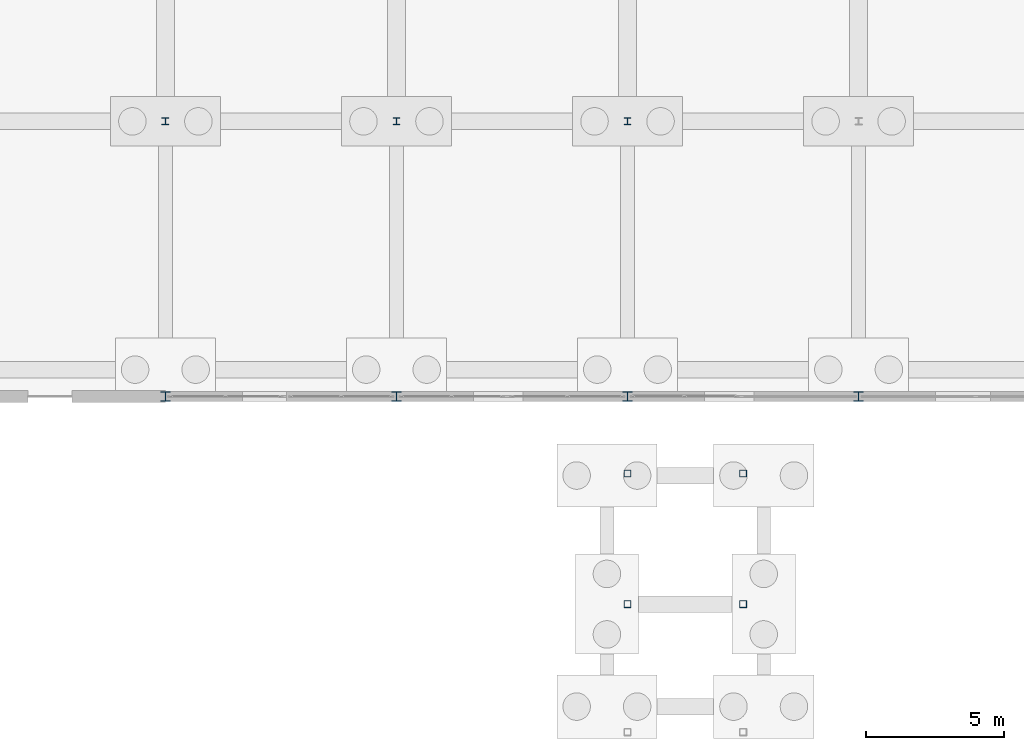
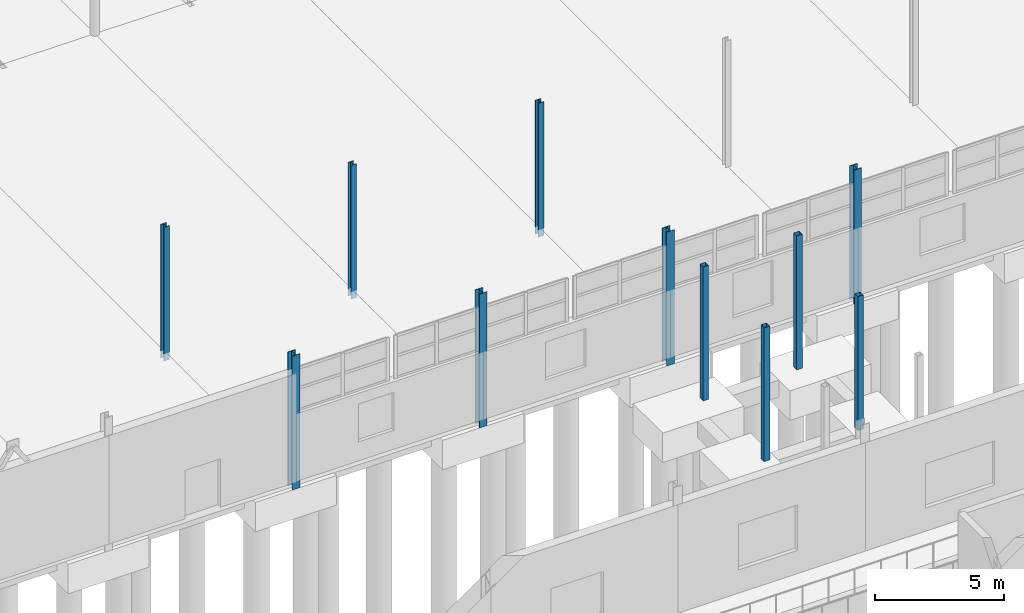
# One storey, part 27 of 139: 11 columns.
"""IFC4 building model written with IfcOpenShell, lengths in metres."""

from ifc_helpers import new_model, si_unit, direction, frame, origin, origin_2d, place, context, subcontext, project, spatial, hollow_rectangle, i_section, extrude, material, material_profile, profile_set, type_object, element, save


model = new_model("IFC4")

# Units and contexts
model_context = context("Model", 3, precision=1e-05, world=origin(), true_north=direction((0.0, 1.0)))
body_context = subcontext(model_context, "Body", "Model", "MODEL_VIEW")
ifc_project = project(units=[si_unit("LENGTHUNIT", "METRE"), si_unit("AREAUNIT", "SQUARE_METRE"), si_unit("VOLUMEUNIT", "CUBIC_METRE"), si_unit("PLANEANGLEUNIT", "RADIAN"), si_unit("MASSUNIT", "GRAM", prefix="KILO")], contexts=[model_context])

# Site, building, storey
site_placement = place(None, origin())
site = spatial("IfcSite", under=ifc_project, at=site_placement, CompositionType="ELEMENT")
building_placement = place(site_placement, origin())
building = spatial("IfcBuilding", under=site, at=building_placement, Name="Kazenagashi Tramway Depot", CompositionType="ELEMENT")
storey_placement = place(building_placement, origin())
storey = spatial("IfcBuildingStorey", under=building, at=storey_placement, Name="L01", CompositionType="ELEMENT", Elevation=0.0)

# Columns
ifc_material_1 = material(Name="Steel SN490B", Category="steel")
ifc_material_profile_1 = material_profile(ifc_material_1, i_section(OverallWidth=0.35, OverallDepth=0.35, WebThickness=0.012, FlangeThickness=0.019, at=origin_2d()), Name="H-350x350x12x19")
ifc_profile_set_1 = profile_set([ifc_material_profile_1], Name="Steel SN490B")
column_type_1 = type_object("IfcColumnType", Name="C-04", PredefinedType="COLUMN", material=ifc_profile_set_1)
for number, where, z_axis, x_axis, name in (
    (1, (70.0, 70.0, -0.35), (0.0, 0.0, 1.0), (1.0, 0.0, 0.0), "Column C-04 COL-0019"),
    (2, (78.4, 70.0, -0.35), (0.0, 0.0, 1.0), (1.0, 0.0, 0.0), "Column C-04 COL-0025"),
    (3, (86.8, 70.0, -0.35), (0.0, 0.0, 1.0), (1.0, 0.0, 0.0), "Column C-04 COL-0031"),
    (4, (95.2, 70.0, -0.35), (0.0, 0.0, 1.0), (1.0, 0.0, 0.0), "Column C-04 COL-0037"),
):
    element("IfcColumn", number, at=place(storey_placement, frame(where, z_axis=z_axis, x_axis=x_axis)), inside=storey, type_object=column_type_1, Name=name, PredefinedType="COLUMN", context=body_context, shape_type="SweptSolid", body=[
        extrude(i_section(OverallWidth=0.35, OverallDepth=0.35, WebThickness=0.012, FlangeThickness=0.019, at=origin_2d()), origin(), (0.0, 0.0, 1.0), 6.35),
    ])
ifc_material_profile_2 = material_profile(ifc_material_1, i_section(OverallWidth=0.25, OverallDepth=0.25, WebThickness=0.009, FlangeThickness=0.014, at=origin_2d()), Name="H-250x250x9x14")
ifc_profile_set_2 = profile_set([ifc_material_profile_2], Name="Steel SN490B")
column_type_2 = type_object("IfcColumnType", Name="C-06", PredefinedType="COLUMN", material=ifc_profile_set_2)
for number, where, z_axis, x_axis, name in (
    (5, (70.0, 80.0, -0.35), (0.0, 0.0, 1.0), (1.0, 0.0, 0.0), "Column C-06 COL-0118"),
    (6, (78.4, 80.0, -0.35), (0.0, 0.0, 1.0), (1.0, 0.0, 0.0), "Column C-06 COL-0119"),
    (7, (86.8, 80.0, -0.35), (0.0, 0.0, 1.0), (1.0, 0.0, 0.0), "Column C-06 COL-0120"),
):
    element("IfcColumn", number, at=place(storey_placement, frame(where, z_axis=z_axis, x_axis=x_axis)), inside=storey, type_object=column_type_2, Name=name, PredefinedType="COLUMN", context=body_context, shape_type="SweptSolid", body=[
        extrude(i_section(OverallWidth=0.25, OverallDepth=0.25, WebThickness=0.009, FlangeThickness=0.014, at=origin_2d()), origin(), (0.0, 0.0, 1.0), 6.35),
    ])
ifc_material_2 = material(Name="Weathering Steel SMA490W", Category="steel")
ifc_material_profile_3 = material_profile(ifc_material_2, hollow_rectangle(XDim=0.25, YDim=0.25, WallThickness=0.009, at=origin_2d()), Name="SHS-250x250x9")
ifc_profile_set_3 = profile_set([ifc_material_profile_3], Name="Weathering Steel SMA490W")
column_type_3 = type_object("IfcColumnType", Name="C-10", PredefinedType="COLUMN", material=ifc_profile_set_3)
for number, where, z_axis, x_axis, name in (
    (8, (86.8, 62.45, -0.35), (0.0, 0.0, 1.0), (1.0, 0.0, 0.0), "Column C-10 COL-0865"),
    (9, (86.8, 67.2, -0.35), (0.0, 0.0, 1.0), (1.0, 0.0, 0.0), "Column C-10 COL-0867"),
    (10, (91.0, 62.45, -0.35), (0.0, 0.0, 1.0), (1.0, 0.0, 0.0), "Column C-10 COL-0871"),
    (11, (91.0, 67.2, -0.35), (0.0, 0.0, 1.0), (1.0, 0.0, 0.0), "Column C-10 COL-0873"),
):
    element("IfcColumn", number, at=place(storey_placement, frame(where, z_axis=z_axis, x_axis=x_axis)), inside=storey, type_object=column_type_3, Name=name, PredefinedType="COLUMN", context=body_context, shape_type="SweptSolid", body=[
        extrude(hollow_rectangle(XDim=0.25, YDim=0.25, WallThickness=0.009, at=origin_2d()), origin(), (0.0, 0.0, 1.0), 6.35),
    ])

save(model, "model.ifc")
